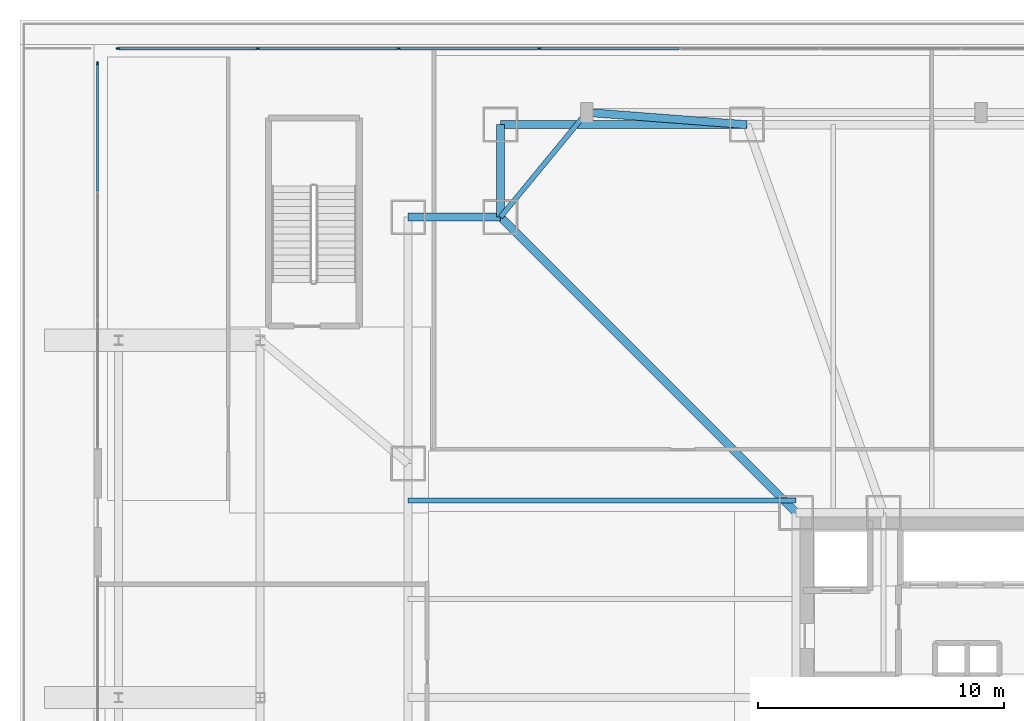
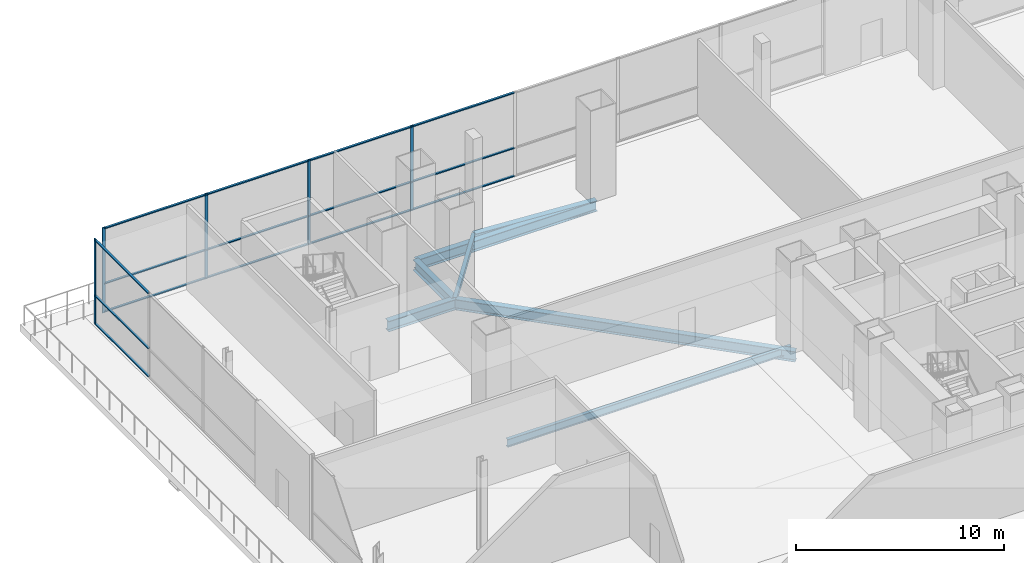
# One storey, part 13 of 35: 20 members, 7 beams, 2 elements without a shape of their own.
"""IFC4 building model written with IfcOpenShell, lengths in metres."""

from ifc_helpers import new_model, si_unit, direction, frame, origin, origin_2d, place, context, subcontext, project, spatial, rectangle, i_section, extrude, material, layer, layer_set, material_profile, profile_set, type_object, element, aggregate, save


model = new_model("IFC4")

# Units and contexts
model_context = context("Model", 3, precision=1e-05, world=origin(), true_north=direction((0.0, 1.0)))
body_context = subcontext(model_context, "Body", "Model", "MODEL_VIEW")
ifc_project = project(units=[si_unit("LENGTHUNIT", "METRE"), si_unit("AREAUNIT", "SQUARE_METRE"), si_unit("VOLUMEUNIT", "CUBIC_METRE"), si_unit("PLANEANGLEUNIT", "RADIAN"), si_unit("MASSUNIT", "GRAM", prefix="KILO")], contexts=[model_context])

# Site, building, storey
site_placement = place(None, origin())
site = spatial("IfcSite", under=ifc_project, at=site_placement, CompositionType="ELEMENT")
building_placement = place(site_placement, origin())
building = spatial("IfcBuilding", under=site, at=building_placement, Name="Trevonay Congress Spire", CompositionType="ELEMENT")
storey_placement = place(building_placement, frame((0.0, 0.0, 10.800048828125)))
storey = spatial("IfcBuildingStorey", under=building, at=storey_placement, Name="L02", CompositionType="ELEMENT", Elevation=10.800048828125)

# Beams
ifc_material_1 = material(Name="Steel ASTM A572 Grade 50", Category="steel")
ifc_material_profile_1 = material_profile(ifc_material_1, i_section(OverallWidth=0.324951171875, OverallDepth=0.615966796875, WebThickness=0.013916015625, FlangeThickness=0.021484375, FilletRadius=0.01806640625, at=origin_2d()), Name="W610x174")
ifc_profile_set_1 = profile_set([ifc_material_profile_1], Name="Steel ASTM A572 Grade 50")
beam_type_1 = type_object("IfcBeamType", Name="BM-GIRD-W610X174", PredefinedType="BEAM", material=ifc_profile_set_1)
beam_1_placement = place(storey_placement, frame((-19.5, 23.25, -0.7080078125), z_axis=(1.0, 0.0, 0.0), x_axis=(0.0, 1.0, 0.0)))
element("IfcBeam", 1, at=beam_1_placement, inside=storey, type_object=beam_type_1, Name="L02 structural beam BM-L02-MN1", PredefinedType="BEAM", context=body_context, shape_type="SweptSolid", body=[
    extrude(i_section(OverallWidth=0.324951171875, OverallDepth=0.615966796875, WebThickness=0.013916015625, FlangeThickness=0.021484375, FilletRadius=0.01806640625, at=origin_2d()), origin(), (0.0, 0.0, 1.0), 10.0),
])
for number, where, z_axis, x_axis, name in (
    (2, (-19.5, 23.25, -0.7080078125), (0.0, -1.0, 0.0), (1.0, 0.0, 0.0), "L02 structural beam BM-L02-CNW"),
    (3, (-23.25, 19.5, -0.7080078125), (1.0, 0.0, 0.0), (0.0, 1.0, 0.0), "L02 structural beam BM-L02-CWN"),
):
    element("IfcBeam", number, at=place(storey_placement, frame(where, z_axis=z_axis, x_axis=x_axis)), inside=storey, type_object=beam_type_1, Name=name, PredefinedType="BEAM", context=body_context, shape_type="SweptSolid", body=[
        extrude(i_section(OverallWidth=0.324951171875, OverallDepth=0.615966796875, WebThickness=0.013916015625, FlangeThickness=0.021484375, FilletRadius=0.01806640625, at=origin_2d()), origin(), (0.0, 0.0, 1.0), 3.75),
    ])
beam_2_placement = place(storey_placement, frame((-7.5, 7.5, -0.7080078125), z_axis=(-0.707106781187, 0.707106781187, 0.0), x_axis=(-0.707106781187, -0.707106781187, 0.0)))
element("IfcBeam", 4, at=beam_2_placement, inside=storey, type_object=beam_type_1, Name="L02 structural beam BM-L02-RAD-NW", PredefinedType="BEAM", context=body_context, shape_type="SweptSolid", body=[
    extrude(i_section(OverallWidth=0.324951171875, OverallDepth=0.615966796875, WebThickness=0.013916015625, FlangeThickness=0.021484375, FilletRadius=0.01806640625, at=origin_2d()), origin(), (0.0, 0.0, 1.0), 16.970458984375),
])
beam_3_placement = place(storey_placement, frame((-9.5, 23.25, -0.7080078125), z_axis=(-0.997054485502, 0.076696498885, 0.0), x_axis=(-0.076696498885, -0.997054485502, 0.0)))
element("IfcBeam", 5, at=beam_3_placement, inside=storey, type_object=beam_type_1, Name="L02 structural beam BM-L02-PIL-TN1", PredefinedType="BEAM", context=body_context, shape_type="SweptSolid", body=[
    extrude(i_section(OverallWidth=0.324951171875, OverallDepth=0.615966796875, WebThickness=0.013916015625, FlangeThickness=0.021484375, FilletRadius=0.01806640625, at=origin_2d()), origin(), (0.0, 0.0, 1.0), 6.519287109375),
])

# Curtain wall, member
ifc_material_2 = material(Name="Pale Anodised Aluminium EN AW-6063-T6", Category="aluminium")
ifc_layer = layer(ifc_material_2, 0.179931640625, Name="Pale Anodised Aluminium EN AW-6063-T6")
ifc_layer_set = layer_set([ifc_layer], Name="Pale Anodised Aluminium EN AW-6063-T6")
curtain_wall_type = type_object("IfcCurtainWallType", Name="CW-SYS01-PODIUM-PALE-METAL", PredefinedType="NOTDEFINED", material=ifc_layer_set)
curtain_wall_1_placement = place(storey_placement, origin())
curtain_wall_1 = element("IfcCurtainWall", 6, at=curtain_wall_1_placement, inside=storey, type_object=curtain_wall_type, Name="L02 W2 podium curtain wall", PredefinedType="NOTDEFINED")
ifc_material_profile_2 = material_profile(ifc_material_2, rectangle(XDim=0.06005859375, YDim=0.159912109375, at=origin_2d()), Name="CW-MULLION-160-ALUMINIUM")
ifc_profile_set_2 = profile_set([ifc_material_profile_2], Name="Pale Anodised Aluminium EN AW-6063-T6")
member_type_1 = type_object("IfcMemberType", Name="CW-MULLION-160-ALUMINIUM", PredefinedType="MULLION", material=ifc_profile_set_2)
member_1_placement = place(storey_placement, frame((-35.85009765625, 25.719970703125, 0.0), z_axis=(0.0, 0.0, 1.0), x_axis=(-1.0, 0.0, 0.0)))
member_1 = element("IfcMember", 7, at=member_1_placement, type_object=member_type_1, Name="CW01 mullion 4", PredefinedType="MULLION", context=body_context, shape_type="SweptSolid", body=[
    extrude(rectangle(XDim=0.06005859375, YDim=0.159912109375, at=origin_2d()), origin(), (0.0, 0.0, 1.0), 5.0),
])

# Curtain wall, members
curtain_wall_2_placement = place(storey_placement, origin())
curtain_wall_2 = element("IfcCurtainWall", 8, at=curtain_wall_2_placement, inside=storey, type_object=curtain_wall_type, Name="L02 N1 podium curtain wall", PredefinedType="NOTDEFINED")
member_2_placement = place(storey_placement, frame((-35.02001953125, 26.35009765625, 0.0), z_axis=(0.0, 0.0, 1.0), x_axis=(0.0, 1.0, 0.0)))
member_2 = element("IfcMember", 9, at=member_2_placement, type_object=member_type_1, Name="CW01 mullion 1", PredefinedType="MULLION", context=body_context, shape_type="SweptSolid", body=[
    extrude(rectangle(XDim=0.06005859375, YDim=0.159912109375, at=origin_2d()), origin(), (0.0, 0.0, 1.0), 5.0),
])
member_3_placement = place(storey_placement, frame((-29.3427734375, 26.35009765625, 0.0), z_axis=(0.0, 0.0, 1.0), x_axis=(0.0, 1.0, 0.0)))
member_3 = element("IfcMember", 10, at=member_3_placement, type_object=member_type_1, Name="CW01 mullion 2", PredefinedType="MULLION", context=body_context, shape_type="SweptSolid", body=[
    extrude(rectangle(XDim=0.06005859375, YDim=0.159912109375, at=origin_2d()), origin(), (0.0, 0.0, 1.0), 5.0),
])
member_4_placement = place(storey_placement, frame((-23.6357421875, 26.35009765625, 0.0), z_axis=(0.0, 0.0, 1.0), x_axis=(0.0, 1.0, 0.0)))
member_4 = element("IfcMember", 11, at=member_4_placement, type_object=member_type_1, Name="CW01 mullion 3", PredefinedType="MULLION", context=body_context, shape_type="SweptSolid", body=[
    extrude(rectangle(XDim=0.06005859375, YDim=0.159912109375, at=origin_2d()), origin(), (0.0, 0.0, 1.0), 5.0),
])
member_5_placement = place(storey_placement, frame((-17.928466796875, 26.35009765625, 0.0), z_axis=(0.0, 0.0, 1.0), x_axis=(0.0, 1.0, 0.0)))
member_5 = element("IfcMember", 12, at=member_5_placement, type_object=member_type_1, Name="CW01 mullion 4", PredefinedType="MULLION", context=body_context, shape_type="SweptSolid", body=[
    extrude(rectangle(XDim=0.06005859375, YDim=0.159912109375, at=origin_2d()), origin(), (0.0, 0.0, 1.0), 5.0),
])

# Member
ifc_material_profile_3 = material_profile(ifc_material_2, rectangle(XDim=0.1201171875, YDim=0.06005859375, at=origin_2d()), Name="CW-TRANSOM-120-ALUMINIUM")
ifc_profile_set_3 = profile_set([ifc_material_profile_3], Name="Pale Anodised Aluminium EN AW-6063-T6")
member_type_2 = type_object("IfcMemberType", Name="CW-TRANSOM-120-ALUMINIUM", PredefinedType="USERDEFINED", material=ifc_profile_set_3)
member_6_placement = place(storey_placement, frame((-35.85009765625, 20.563232421875, 0.06005859375), z_axis=(0.0, 1.0, 0.0), x_axis=(-1.0, 0.0, 0.0)))
member_6 = element("IfcMember", 13, at=member_6_placement, type_object=member_type_2, Name="CW01 transom 3.1", ObjectType="TRANSOM", PredefinedType="USERDEFINED", context=body_context, shape_type="SweptSolid", body=[
    extrude(rectangle(XDim=0.1201171875, YDim=0.06005859375, at=origin_2d()), origin(), (0.0, 0.0, 1.0), 5.126708984375),
])

member_7_placement = place(storey_placement, frame((-35.85009765625, 20.563232421875, 1.699951171875), z_axis=(0.0, 1.0, 0.0), x_axis=(-1.0, 0.0, 0.0)))
member_7 = element("IfcMember", 14, at=member_7_placement, type_object=member_type_2, Name="CW01 transom 3.2", ObjectType="TRANSOM", PredefinedType="USERDEFINED", context=body_context, shape_type="SweptSolid", body=[
    extrude(rectangle(XDim=0.1201171875, YDim=0.06005859375, at=origin_2d()), origin(), (0.0, 0.0, 1.0), 5.126708984375),
])

member_8_placement = place(storey_placement, frame((-35.85009765625, 20.563232421875, 4.93994140625), z_axis=(0.0, 1.0, 0.0), x_axis=(-1.0, 0.0, 0.0)))
member_8 = element("IfcMember", 15, at=member_8_placement, type_object=member_type_2, Name="CW01 transom 3.3", ObjectType="TRANSOM", PredefinedType="USERDEFINED", context=body_context, shape_type="SweptSolid", body=[
    extrude(rectangle(XDim=0.1201171875, YDim=0.06005859375, at=origin_2d()), origin(), (0.0, 0.0, 1.0), 5.126708984375),
])

aggregate(curtain_wall_1, [member_1, member_6, member_7, member_8])

member_9_placement = place(storey_placement, frame((-34.989990234375, 26.35009765625, 0.06005859375), z_axis=(1.0, 0.0, 0.0), x_axis=(0.0, 1.0, 0.0)))
member_9 = element("IfcMember", 16, at=member_9_placement, type_object=member_type_2, Name="CW01 transom 1.1", ObjectType="TRANSOM", PredefinedType="USERDEFINED", context=body_context, shape_type="SweptSolid", body=[
    extrude(rectangle(XDim=0.1201171875, YDim=0.06005859375, at=origin_2d()), origin(), (0.0, 0.0, 1.0), 5.6171875),
])

member_10_placement = place(storey_placement, frame((-34.989990234375, 26.35009765625, 1.699951171875), z_axis=(1.0, 0.0, 0.0), x_axis=(0.0, 1.0, 0.0)))
member_10 = element("IfcMember", 17, at=member_10_placement, type_object=member_type_2, Name="CW01 transom 1.2", ObjectType="TRANSOM", PredefinedType="USERDEFINED", context=body_context, shape_type="SweptSolid", body=[
    extrude(rectangle(XDim=0.1201171875, YDim=0.06005859375, at=origin_2d()), origin(), (0.0, 0.0, 1.0), 5.6171875),
])

member_11_placement = place(storey_placement, frame((-34.989990234375, 26.35009765625, 4.93994140625), z_axis=(1.0, 0.0, 0.0), x_axis=(0.0, 1.0, 0.0)))
member_11 = element("IfcMember", 18, at=member_11_placement, type_object=member_type_2, Name="CW01 transom 1.3", ObjectType="TRANSOM", PredefinedType="USERDEFINED", context=body_context, shape_type="SweptSolid", body=[
    extrude(rectangle(XDim=0.1201171875, YDim=0.06005859375, at=origin_2d()), origin(), (0.0, 0.0, 1.0), 5.6171875),
])

member_12_placement = place(storey_placement, frame((-29.312744140625, 26.35009765625, 0.06005859375), z_axis=(1.0, 0.0, 0.0), x_axis=(0.0, 1.0, 0.0)))
member_12 = element("IfcMember", 19, at=member_12_placement, type_object=member_type_2, Name="CW01 transom 2.1", ObjectType="TRANSOM", PredefinedType="USERDEFINED", context=body_context, shape_type="SweptSolid", body=[
    extrude(rectangle(XDim=0.1201171875, YDim=0.06005859375, at=origin_2d()), origin(), (0.0, 0.0, 1.0), 5.64697265625),
])

member_13_placement = place(storey_placement, frame((-29.312744140625, 26.35009765625, 1.699951171875), z_axis=(1.0, 0.0, 0.0), x_axis=(0.0, 1.0, 0.0)))
member_13 = element("IfcMember", 20, at=member_13_placement, type_object=member_type_2, Name="CW01 transom 2.2", ObjectType="TRANSOM", PredefinedType="USERDEFINED", context=body_context, shape_type="SweptSolid", body=[
    extrude(rectangle(XDim=0.1201171875, YDim=0.06005859375, at=origin_2d()), origin(), (0.0, 0.0, 1.0), 5.64697265625),
])

member_14_placement = place(storey_placement, frame((-29.312744140625, 26.35009765625, 4.93994140625), z_axis=(1.0, 0.0, 0.0), x_axis=(0.0, 1.0, 0.0)))
member_14 = element("IfcMember", 21, at=member_14_placement, type_object=member_type_2, Name="CW01 transom 2.3", ObjectType="TRANSOM", PredefinedType="USERDEFINED", context=body_context, shape_type="SweptSolid", body=[
    extrude(rectangle(XDim=0.1201171875, YDim=0.06005859375, at=origin_2d()), origin(), (0.0, 0.0, 1.0), 5.64697265625),
])

member_15_placement = place(storey_placement, frame((-23.605712890625, 26.35009765625, 0.06005859375), z_axis=(1.0, 0.0, 0.0), x_axis=(0.0, 1.0, 0.0)))
member_15 = element("IfcMember", 22, at=member_15_placement, type_object=member_type_2, Name="CW01 transom 3.1", ObjectType="TRANSOM", PredefinedType="USERDEFINED", context=body_context, shape_type="SweptSolid", body=[
    extrude(rectangle(XDim=0.1201171875, YDim=0.06005859375, at=origin_2d()), origin(), (0.0, 0.0, 1.0), 5.647216796875),
])

member_16_placement = place(storey_placement, frame((-23.605712890625, 26.35009765625, 1.699951171875), z_axis=(1.0, 0.0, 0.0), x_axis=(0.0, 1.0, 0.0)))
member_16 = element("IfcMember", 23, at=member_16_placement, type_object=member_type_2, Name="CW01 transom 3.2", ObjectType="TRANSOM", PredefinedType="USERDEFINED", context=body_context, shape_type="SweptSolid", body=[
    extrude(rectangle(XDim=0.1201171875, YDim=0.06005859375, at=origin_2d()), origin(), (0.0, 0.0, 1.0), 5.647216796875),
])

member_17_placement = place(storey_placement, frame((-23.605712890625, 26.35009765625, 4.93994140625), z_axis=(1.0, 0.0, 0.0), x_axis=(0.0, 1.0, 0.0)))
member_17 = element("IfcMember", 24, at=member_17_placement, type_object=member_type_2, Name="CW01 transom 3.3", ObjectType="TRANSOM", PredefinedType="USERDEFINED", context=body_context, shape_type="SweptSolid", body=[
    extrude(rectangle(XDim=0.1201171875, YDim=0.06005859375, at=origin_2d()), origin(), (0.0, 0.0, 1.0), 5.647216796875),
])

member_18_placement = place(storey_placement, frame((-17.898681640625, 26.35009765625, 0.06005859375), z_axis=(1.0, 0.0, 0.0), x_axis=(0.0, 1.0, 0.0)))
member_18 = element("IfcMember", 25, at=member_18_placement, type_object=member_type_2, Name="CW01 transom 4.1", ObjectType="TRANSOM", PredefinedType="USERDEFINED", context=body_context, shape_type="SweptSolid", body=[
    extrude(rectangle(XDim=0.1201171875, YDim=0.06005859375, at=origin_2d()), origin(), (0.0, 0.0, 1.0), 5.647216796875),
])

member_19_placement = place(storey_placement, frame((-17.898681640625, 26.35009765625, 1.699951171875), z_axis=(1.0, 0.0, 0.0), x_axis=(0.0, 1.0, 0.0)))
member_19 = element("IfcMember", 26, at=member_19_placement, type_object=member_type_2, Name="CW01 transom 4.2", ObjectType="TRANSOM", PredefinedType="USERDEFINED", context=body_context, shape_type="SweptSolid", body=[
    extrude(rectangle(XDim=0.1201171875, YDim=0.06005859375, at=origin_2d()), origin(), (0.0, 0.0, 1.0), 5.647216796875),
])

member_20_placement = place(storey_placement, frame((-17.898681640625, 26.35009765625, 4.93994140625), z_axis=(1.0, 0.0, 0.0), x_axis=(0.0, 1.0, 0.0)))
member_20 = element("IfcMember", 27, at=member_20_placement, type_object=member_type_2, Name="CW01 transom 4.3", ObjectType="TRANSOM", PredefinedType="USERDEFINED", context=body_context, shape_type="SweptSolid", body=[
    extrude(rectangle(XDim=0.1201171875, YDim=0.06005859375, at=origin_2d()), origin(), (0.0, 0.0, 1.0), 5.647216796875),
])

aggregate(curtain_wall_2, [member_2, member_3, member_4, member_5, member_9, member_10, member_11, member_12, member_13, member_14, member_15, member_16, member_17, member_18, member_19, member_20])

# Beams
ifc_material_profile_4 = material_profile(ifc_material_1, i_section(OverallWidth=0.18994140625, OverallDepth=0.45703125, WebThickness=0.009033203125, FlangeThickness=0.014404296875, FilletRadius=0.013916015625, at=origin_2d()), Name="W460x74")
ifc_profile_set_4 = profile_set([ifc_material_profile_4], Name="Steel ASTM A572 Grade 50")
beam_type_2 = type_object("IfcBeamType", Name="JS-COMP-W460X74", PredefinedType="JOIST", material=ifc_profile_set_4)
beam_4_placement = place(storey_placement, frame((-23.25, 8.0, -0.628662109375), z_axis=(1.0, 0.0, 0.0), x_axis=(0.0, 1.0, 0.0)))
element("IfcBeam", 28, at=beam_4_placement, inside=storey, type_object=beam_type_2, Name="L02 structural beam JS-L02-WH4", PredefinedType="JOIST", context=body_context, shape_type="SweptSolid", body=[
    extrude(i_section(OverallWidth=0.18994140625, OverallDepth=0.45703125, WebThickness=0.009033203125, FlangeThickness=0.014404296875, FilletRadius=0.013916015625, at=origin_2d()), origin(), (0.0, 0.0, 1.0), 15.75),
])
ifc_material_profile_5 = material_profile(ifc_material_1, i_section(OverallWidth=0.2041015625, OverallDepth=0.305908203125, WebThickness=0.008544921875, FlangeThickness=0.0146484375, FilletRadius=0.010986328125, at=origin_2d()), Name="W310x67")
ifc_profile_set_5 = profile_set([ifc_material_profile_5], Name="Steel ASTM A572 Grade 50")
beam_type_3 = type_object("IfcBeamType", Name="SPB-W310X67", PredefinedType="SPANDREL", material=ifc_profile_set_5)
beam_5_placement = place(storey_placement, frame((-16.0, 23.75, -0.552978515625), z_axis=(-0.635707252861, -0.771930235617, 0.0), x_axis=(0.771930235617, -0.635707252861, 0.0)))
element("IfcBeam", 29, at=beam_5_placement, inside=storey, type_object=beam_type_3, Name="L02 structural beam SPB-L02-NW", PredefinedType="SPANDREL", context=body_context, shape_type="SweptSolid", body=[
    extrude(i_section(OverallWidth=0.2041015625, OverallDepth=0.305908203125, WebThickness=0.008544921875, FlangeThickness=0.0146484375, FilletRadius=0.010986328125, at=origin_2d()), origin(), (0.0, 0.0, 1.0), 5.505615234375),
])

save(model, "model.ifc")
